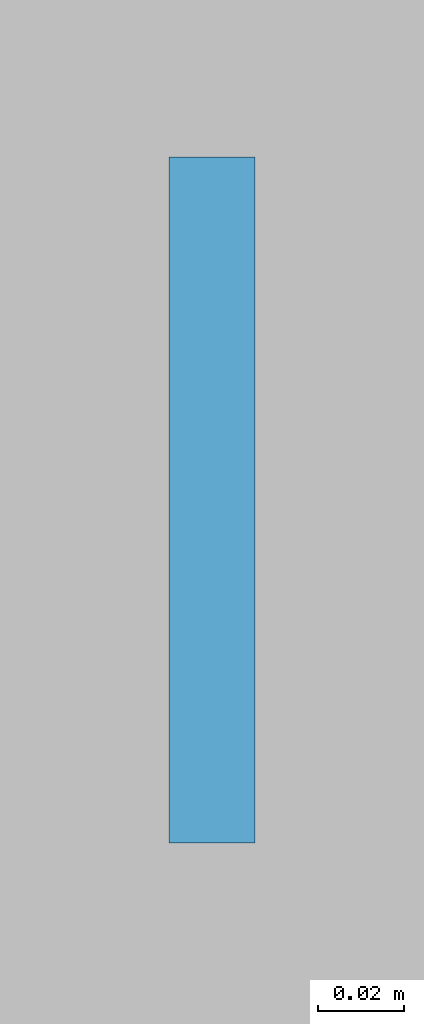
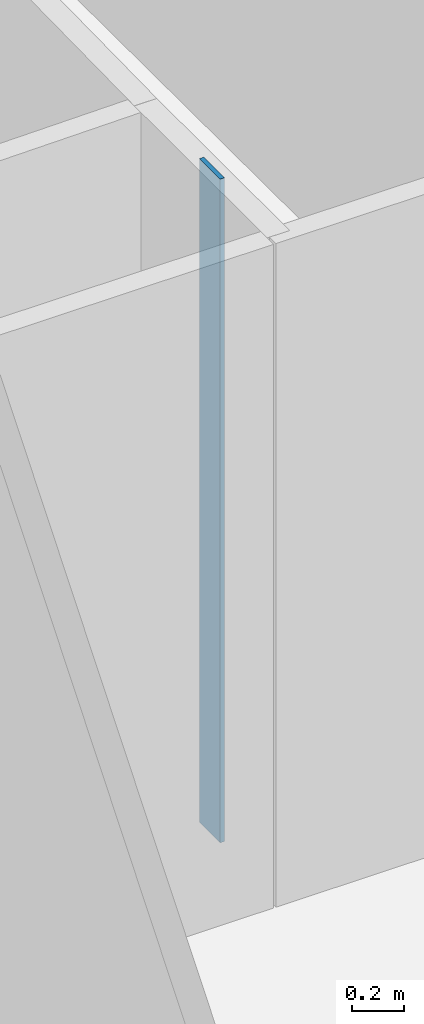
# One storey, part 5 of 13: 1 plate.
"""IFC4 building model written with IfcOpenShell, lengths in metres."""

from ifc_helpers import new_model, si_unit, direction, frame, origin, origin_2d, place, context, subcontext, project, spatial, rectangle, extrude, material, layer, layer_set, type_object, element, save


model = new_model("IFC4")

# Units and contexts
model_context = context("Model", 3, precision=1e-05, world=origin(), true_north=direction((0.0, 1.0)))
body_context = subcontext(model_context, "Body", "Model", "MODEL_VIEW")
ifc_project = project(units=[si_unit("LENGTHUNIT", "METRE"), si_unit("AREAUNIT", "SQUARE_METRE"), si_unit("VOLUMEUNIT", "CUBIC_METRE"), si_unit("PLANEANGLEUNIT", "RADIAN"), si_unit("MASSUNIT", "GRAM", prefix="KILO")], contexts=[model_context])

# Site, building, storey
site_placement = place(None, origin())
site = spatial("IfcSite", under=ifc_project, at=site_placement, CompositionType="ELEMENT")
building_placement = place(site_placement, origin())
building = spatial("IfcBuilding", under=site, at=building_placement, Name="Miruveldt Soraemaru", CompositionType="ELEMENT")
storey_placement = place(building_placement, frame((0.0, 0.0, 73.39990234375)))
storey = spatial("IfcBuildingStorey", under=building, at=storey_placement, Name="L20", CompositionType="ELEMENT", Elevation=73.39990234375)

# Plate
ifc_material = material(Name="Anodised aluminium EN AW-6063 T6", Category="aluminium")
ifc_layer = layer(ifc_material, 0.02001953125, Name="Anodised aluminium EN AW-6063 T6", Category="aluminium")
ifc_layer_set = layer_set([ifc_layer], Name="Anodised aluminium EN AW-6063 T6")
plate_type = type_object("IfcPlateType", Name="PLT-PART-TRIM", PredefinedType="SHEET", material=ifc_layer_set)
plate_placement = place(storey_placement, frame((41.655029296875, 67.1923828125, 0.0), z_axis=(0.0, 0.0, 1.0), x_axis=(0.0, -1.0, 0.0)))
element("IfcPlate", 1, at=plate_placement, inside=storey, type_object=plate_type, Name="L20 Partition Step Corner Trim Plate 018", PredefinedType="SHEET", context=body_context, shape_type="SweptSolid", body=[
    extrude(rectangle(XDim=0.159912109375, YDim=0.02001953125, at=origin_2d()), origin(), (0.0, 0.0, 1.0), 3.125),
])

save(model, "model.ifc")
